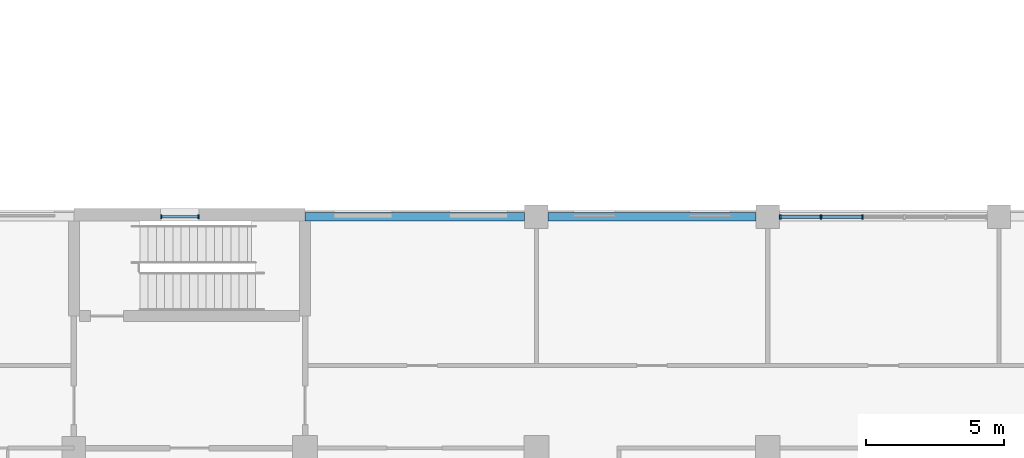
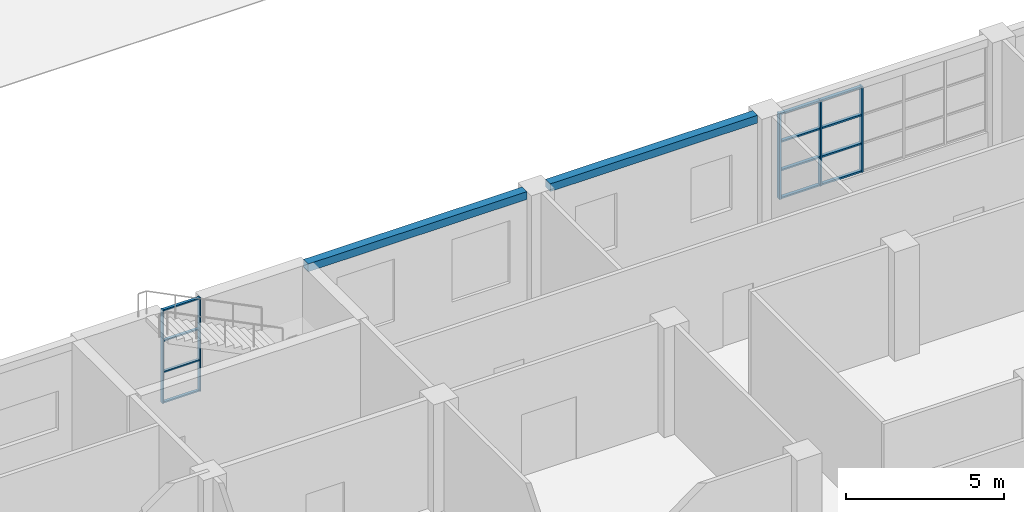
# One storey, part 8 of 66: 17 members, 2 beams, 2 elements without a shape of their own.
"""IFC4 building model written with IfcOpenShell, lengths in metres."""

from ifc_helpers import new_model, si_unit, direction, frame, origin, origin_2d, place, context, subcontext, project, spatial, rectangle, extrude, material, material_profile, profile_set, type_object, element, aggregate, save


model = new_model("IFC4")

# Units and contexts
model_context = context("Model", 3, precision=1e-05, world=origin(), true_north=direction((0.0, 1.0)))
body_context = subcontext(model_context, "Body", "Model", "MODEL_VIEW")
ifc_project = project(units=[si_unit("LENGTHUNIT", "METRE"), si_unit("AREAUNIT", "SQUARE_METRE"), si_unit("VOLUMEUNIT", "CUBIC_METRE"), si_unit("PLANEANGLEUNIT", "RADIAN"), si_unit("MASSUNIT", "GRAM", prefix="KILO")], contexts=[model_context])

# Site, building, storey
site_placement = place(None, origin())
site = spatial("IfcSite", under=ifc_project, at=site_placement, CompositionType="ELEMENT")
building_placement = place(site_placement, origin())
building = spatial("IfcBuilding", under=site, at=building_placement, Name="Yavir Park General Hospital", CompositionType="ELEMENT")
storey_placement = place(building_placement, frame((0.0, 0.0, 8.39990234375)))
storey = spatial("IfcBuildingStorey", under=building, at=storey_placement, Name="L02", CompositionType="ELEMENT", Elevation=8.39990234375)

# Curtain wall, members
ifc_material_1 = material(Name="Aluminium curtain wall frame with insulated glazing", Category="aluminium")
curtain_wall_type_1 = type_object("IfcCurtainWallType", Name="Day room pocket glazing, clinical floors, 3300 high, 1400 module", PredefinedType="NOTDEFINED", material=ifc_material_1)
curtain_wall_1_placement = place(storey_placement, origin())
curtain_wall_1 = element("IfcCurtainWall", 1, at=curtain_wall_1_placement, inside=storey, type_object=curtain_wall_type_1, Name="CW58 L02-006", PredefinedType="NOTDEFINED")
ifc_material_2 = material(Name="Aluminium", Category="aluminium")
ifc_material_profile_1 = material_profile(ifc_material_2, rectangle(XDim=0.159912109375, YDim=0.06005859375, at=origin_2d()), Name="AL 60x160")
ifc_profile_set_1 = profile_set([ifc_material_profile_1], Name="Aluminium")
member_type_1 = type_object("IfcMemberType", Name="Day room pocket glazing, clinical floors, 3300 high mullion 60 x 160", PredefinedType="MULLION", material=ifc_profile_set_1)
member_1_placement = place(storey_placement, frame((59.2548828125, 33.60009765625, 0.60009765625), z_axis=(0.0, 0.0, 1.0), x_axis=(0.0, 1.0, 0.0)))
member_1 = element("IfcMember", 2, at=member_1_placement, type_object=member_type_1, Name="CW58 mullion 1", PredefinedType="MULLION", context=body_context, shape_type="SweptSolid", body=[
    extrude(rectangle(XDim=0.159912109375, YDim=0.06005859375, at=origin_2d()), origin(), (0.0, 0.0, 1.0), 3.300048828125),
])
member_2_placement = place(storey_placement, frame((60.735107421875, 33.60009765625, 0.60009765625), z_axis=(0.0, 0.0, 1.0), x_axis=(0.0, 1.0, 0.0)))
member_2 = element("IfcMember", 3, at=member_2_placement, type_object=member_type_1, Name="CW58 mullion 2", PredefinedType="MULLION", context=body_context, shape_type="SweptSolid", body=[
    extrude(rectangle(XDim=0.159912109375, YDim=0.06005859375, at=origin_2d()), origin(), (0.0, 0.0, 1.0), 3.300048828125),
])
member_3_placement = place(storey_placement, frame((62.2451171875, 33.60009765625, 0.60009765625), z_axis=(0.0, 0.0, 1.0), x_axis=(0.0, 1.0, 0.0)))
member_3 = element("IfcMember", 4, at=member_3_placement, type_object=member_type_1, Name="CW58 mullion 3", PredefinedType="MULLION", context=body_context, shape_type="SweptSolid", body=[
    extrude(rectangle(XDim=0.159912109375, YDim=0.06005859375, at=origin_2d()), origin(), (0.0, 0.0, 1.0), 3.300048828125),
])
ifc_material_3 = material(Name="Aluminium", Category="aluminium")
ifc_material_profile_2 = material_profile(ifc_material_3, rectangle(XDim=0.1201171875, YDim=0.06005859375, at=origin_2d()), Name="AL 120x60")
ifc_profile_set_2 = profile_set([ifc_material_profile_2], Name="Aluminium")
member_type_2 = type_object("IfcMemberType", Name="Day room pocket glazing, clinical floors, 3300 high transom 60 x 120", PredefinedType="MULLION", material=ifc_profile_set_2)
member_4_placement = place(storey_placement, frame((59.284912109375, 33.60009765625, 0.630126953125), z_axis=(1.0, 0.0, 0.0), x_axis=(0.0, 1.0, 0.0)))
member_4 = element("IfcMember", 5, at=member_4_placement, type_object=member_type_2, Name="CW58 transom 1.1", PredefinedType="MULLION", context=body_context, shape_type="SweptSolid", body=[
    extrude(rectangle(XDim=0.1201171875, YDim=0.06005859375, at=origin_2d()), origin(), (0.0, 0.0, 1.0), 1.420166015625),
])
member_5_placement = place(storey_placement, frame((59.284912109375, 33.60009765625, 1.7001953125), z_axis=(1.0, 0.0, 0.0), x_axis=(0.0, 1.0, 0.0)))
member_5 = element("IfcMember", 6, at=member_5_placement, type_object=member_type_2, Name="CW58 transom 1.2", PredefinedType="MULLION", context=body_context, shape_type="SweptSolid", body=[
    extrude(rectangle(XDim=0.1201171875, YDim=0.06005859375, at=origin_2d()), origin(), (0.0, 0.0, 1.0), 1.420166015625),
])
member_6_placement = place(storey_placement, frame((59.284912109375, 33.60009765625, 2.800048828125), z_axis=(1.0, 0.0, 0.0), x_axis=(0.0, 1.0, 0.0)))
member_6 = element("IfcMember", 7, at=member_6_placement, type_object=member_type_2, Name="CW58 transom 1.3", PredefinedType="MULLION", context=body_context, shape_type="SweptSolid", body=[
    extrude(rectangle(XDim=0.1201171875, YDim=0.06005859375, at=origin_2d()), origin(), (0.0, 0.0, 1.0), 1.420166015625),
])
member_7_placement = place(storey_placement, frame((59.284912109375, 33.60009765625, 3.8701171875), z_axis=(1.0, 0.0, 0.0), x_axis=(0.0, 1.0, 0.0)))
member_7 = element("IfcMember", 8, at=member_7_placement, type_object=member_type_2, Name="CW58 transom 1.4", PredefinedType="MULLION", context=body_context, shape_type="SweptSolid", body=[
    extrude(rectangle(XDim=0.1201171875, YDim=0.06005859375, at=origin_2d()), origin(), (0.0, 0.0, 1.0), 1.420166015625),
])
member_8_placement = place(storey_placement, frame((60.764892578125, 33.60009765625, 0.630126953125), z_axis=(1.0, 0.0, 0.0), x_axis=(0.0, 1.0, 0.0)))
member_8 = element("IfcMember", 9, at=member_8_placement, type_object=member_type_2, Name="CW58 transom 2.1", PredefinedType="MULLION", context=body_context, shape_type="SweptSolid", body=[
    extrude(rectangle(XDim=0.1201171875, YDim=0.06005859375, at=origin_2d()), origin(), (0.0, 0.0, 1.0), 1.4501953125),
])
member_9_placement = place(storey_placement, frame((60.764892578125, 33.60009765625, 1.7001953125), z_axis=(1.0, 0.0, 0.0), x_axis=(0.0, 1.0, 0.0)))
member_9 = element("IfcMember", 10, at=member_9_placement, type_object=member_type_2, Name="CW58 transom 2.2", PredefinedType="MULLION", context=body_context, shape_type="SweptSolid", body=[
    extrude(rectangle(XDim=0.1201171875, YDim=0.06005859375, at=origin_2d()), origin(), (0.0, 0.0, 1.0), 1.4501953125),
])
member_10_placement = place(storey_placement, frame((60.764892578125, 33.60009765625, 2.800048828125), z_axis=(1.0, 0.0, 0.0), x_axis=(0.0, 1.0, 0.0)))
member_10 = element("IfcMember", 11, at=member_10_placement, type_object=member_type_2, Name="CW58 transom 2.3", PredefinedType="MULLION", context=body_context, shape_type="SweptSolid", body=[
    extrude(rectangle(XDim=0.1201171875, YDim=0.06005859375, at=origin_2d()), origin(), (0.0, 0.0, 1.0), 1.4501953125),
])
member_11_placement = place(storey_placement, frame((60.764892578125, 33.60009765625, 3.8701171875), z_axis=(1.0, 0.0, 0.0), x_axis=(0.0, 1.0, 0.0)))
member_11 = element("IfcMember", 12, at=member_11_placement, type_object=member_type_2, Name="CW58 transom 2.4", PredefinedType="MULLION", context=body_context, shape_type="SweptSolid", body=[
    extrude(rectangle(XDim=0.1201171875, YDim=0.06005859375, at=origin_2d()), origin(), (0.0, 0.0, 1.0), 1.4501953125),
])
aggregate(curtain_wall_1, [member_1, member_2, member_3, member_4, member_5, member_6, member_7, member_8, member_9, member_10, member_11])

# Beams
ifc_material_4 = material(Name="Concrete C35/45", Category="concrete")
ifc_material_profile_3 = material_profile(ifc_material_4, rectangle(XDim=0.300048828125, YDim=0.300048828125, at=origin_2d()), Name="RC300x300")
ifc_profile_set_3 = profile_set([ifc_material_profile_3], Name="Concrete C35/45")
beam_type = type_object("IfcBeamType", Name="RC BEAM 300x300 edge beam", PredefinedType="BEAM", material=ifc_profile_set_3)
beam_1_placement = place(storey_placement, frame((42.0, 33.60009765625, 4.050048828125), z_axis=(1.0, 0.0, 0.0), x_axis=(0.0, 1.0, 0.0)))
element("IfcBeam", 13, at=beam_1_placement, inside=storey, type_object=beam_type, Name="B:EDGE:L02:018", PredefinedType="BEAM", context=body_context, shape_type="SweptSolid", body=[
    extrude(rectangle(XDim=0.300048828125, YDim=0.300048828125, at=origin_2d()), origin(), (0.0, 0.0, 1.0), 7.97509765625),
])
beam_2_placement = place(storey_placement, frame((50.824951171875, 33.60009765625, 4.050048828125), z_axis=(1.0, 0.0, 0.0), x_axis=(0.0, 1.0, 0.0)))
element("IfcBeam", 14, at=beam_2_placement, inside=storey, type_object=beam_type, Name="B:EDGE:L02:019", PredefinedType="BEAM", context=body_context, shape_type="SweptSolid", body=[
    extrude(rectangle(XDim=0.300048828125, YDim=0.300048828125, at=origin_2d()), origin(), (0.0, 0.0, 1.0), 7.550048828125),
])

# Curtain wall, members
ifc_material_5 = material(Name="Aluminium curtain wall frame with insulated glazing", Category="aluminium")
curtain_wall_type_2 = type_object("IfcCurtainWallType", Name="Stair light slot, podium, 3600 high, 1400 module", PredefinedType="NOTDEFINED", material=ifc_material_5)
curtain_wall_2_placement = place(storey_placement, origin())
curtain_wall_2 = element("IfcCurtainWall", 15, at=curtain_wall_2_placement, inside=storey, type_object=curtain_wall_type_2, Name="CW57 L02-005", PredefinedType="NOTDEFINED")
ifc_material_6 = material(Name="Aluminium", Category="aluminium")
ifc_material_profile_4 = material_profile(ifc_material_6, rectangle(XDim=0.139892578125, YDim=0.050048828125, at=origin_2d()), Name="AL 50x140")
ifc_profile_set_4 = profile_set([ifc_material_profile_4], Name="Aluminium")
member_type_3 = type_object("IfcMemberType", Name="Stair light slot, podium, 3600 high mullion 50 x 140", PredefinedType="MULLION", material=ifc_profile_set_4)
member_12_placement = place(storey_placement, frame((36.77490234375, 33.60009765625, 0.60009765625), z_axis=(0.0, 0.0, 1.0), x_axis=(0.0, 1.0, 0.0)))
member_12 = element("IfcMember", 16, at=member_12_placement, type_object=member_type_3, Name="CW57 mullion 1", PredefinedType="MULLION", context=body_context, shape_type="SweptSolid", body=[
    extrude(rectangle(XDim=0.139892578125, YDim=0.050048828125, at=origin_2d()), origin(), (0.0, 0.0, 1.0), 3.60009765625),
])
member_13_placement = place(storey_placement, frame((38.125, 33.60009765625, 0.60009765625), z_axis=(0.0, 0.0, 1.0), x_axis=(0.0, 1.0, 0.0)))
member_13 = element("IfcMember", 17, at=member_13_placement, type_object=member_type_3, Name="CW57 mullion 2", PredefinedType="MULLION", context=body_context, shape_type="SweptSolid", body=[
    extrude(rectangle(XDim=0.139892578125, YDim=0.050048828125, at=origin_2d()), origin(), (0.0, 0.0, 1.0), 3.60009765625),
])
ifc_material_7 = material(Name="Aluminium", Category="aluminium")
ifc_material_profile_5 = material_profile(ifc_material_7, rectangle(XDim=0.10009765625, YDim=0.050048828125, at=origin_2d()), Name="AL 100x50")
ifc_profile_set_5 = profile_set([ifc_material_profile_5], Name="Aluminium")
member_type_4 = type_object("IfcMemberType", Name="Stair light slot, podium, 3600 high transom 50 x 100", PredefinedType="MULLION", material=ifc_profile_set_5)
member_14_placement = place(storey_placement, frame((36.800048828125, 33.60009765625, 0.625), z_axis=(1.0, 0.0, 0.0), x_axis=(0.0, 1.0, 0.0)))
member_14 = element("IfcMember", 18, at=member_14_placement, type_object=member_type_4, Name="CW57 transom 1.1", PredefinedType="MULLION", context=body_context, shape_type="SweptSolid", body=[
    extrude(rectangle(XDim=0.10009765625, YDim=0.050048828125, at=origin_2d()), origin(), (0.0, 0.0, 1.0), 1.300048828125),
])
member_15_placement = place(storey_placement, frame((36.800048828125, 33.60009765625, 1.800048828125), z_axis=(1.0, 0.0, 0.0), x_axis=(0.0, 1.0, 0.0)))
member_15 = element("IfcMember", 19, at=member_15_placement, type_object=member_type_4, Name="CW57 transom 1.2", PredefinedType="MULLION", context=body_context, shape_type="SweptSolid", body=[
    extrude(rectangle(XDim=0.10009765625, YDim=0.050048828125, at=origin_2d()), origin(), (0.0, 0.0, 1.0), 1.300048828125),
])
member_16_placement = place(storey_placement, frame((36.800048828125, 33.60009765625, 3.0), z_axis=(1.0, 0.0, 0.0), x_axis=(0.0, 1.0, 0.0)))
member_16 = element("IfcMember", 20, at=member_16_placement, type_object=member_type_4, Name="CW57 transom 1.3", PredefinedType="MULLION", context=body_context, shape_type="SweptSolid", body=[
    extrude(rectangle(XDim=0.10009765625, YDim=0.050048828125, at=origin_2d()), origin(), (0.0, 0.0, 1.0), 1.300048828125),
])
member_17_placement = place(storey_placement, frame((36.800048828125, 33.60009765625, 4.175048828125), z_axis=(1.0, 0.0, 0.0), x_axis=(0.0, 1.0, 0.0)))
member_17 = element("IfcMember", 21, at=member_17_placement, type_object=member_type_4, Name="CW57 transom 1.4", PredefinedType="MULLION", context=body_context, shape_type="SweptSolid", body=[
    extrude(rectangle(XDim=0.10009765625, YDim=0.050048828125, at=origin_2d()), origin(), (0.0, 0.0, 1.0), 1.300048828125),
])
aggregate(curtain_wall_2, [member_12, member_13, member_14, member_15, member_16, member_17])

save(model, "model.ifc")
